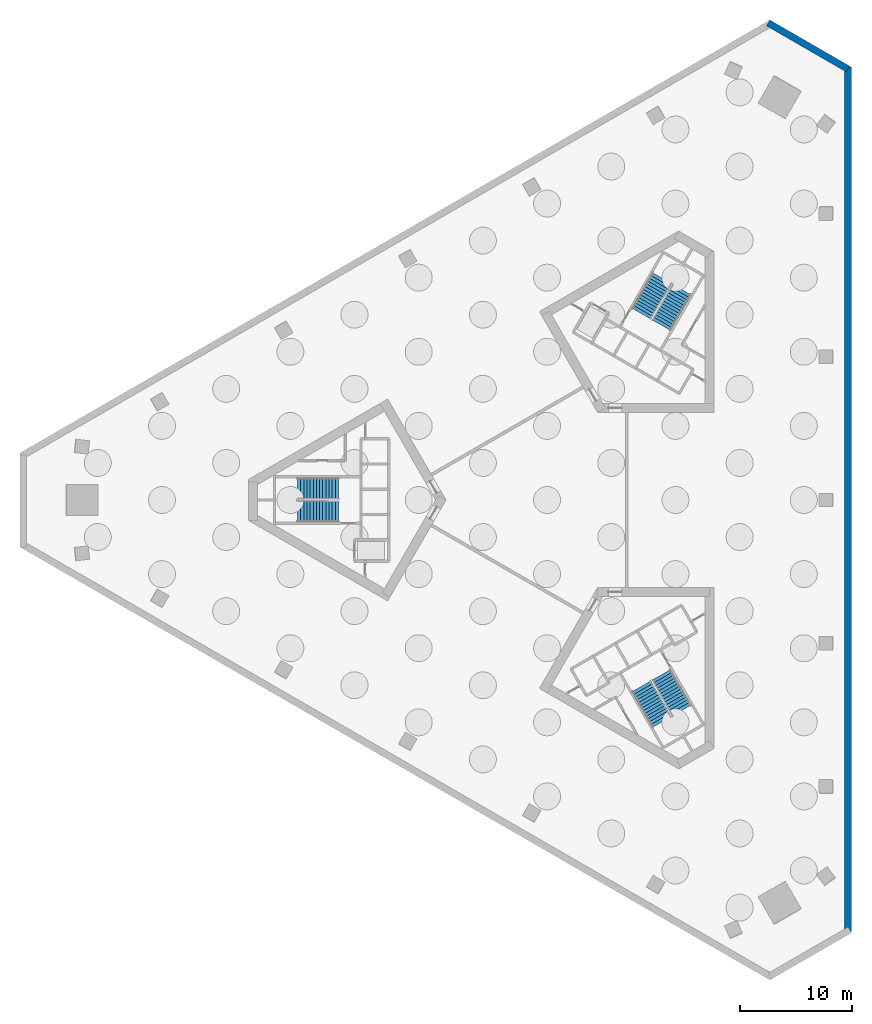
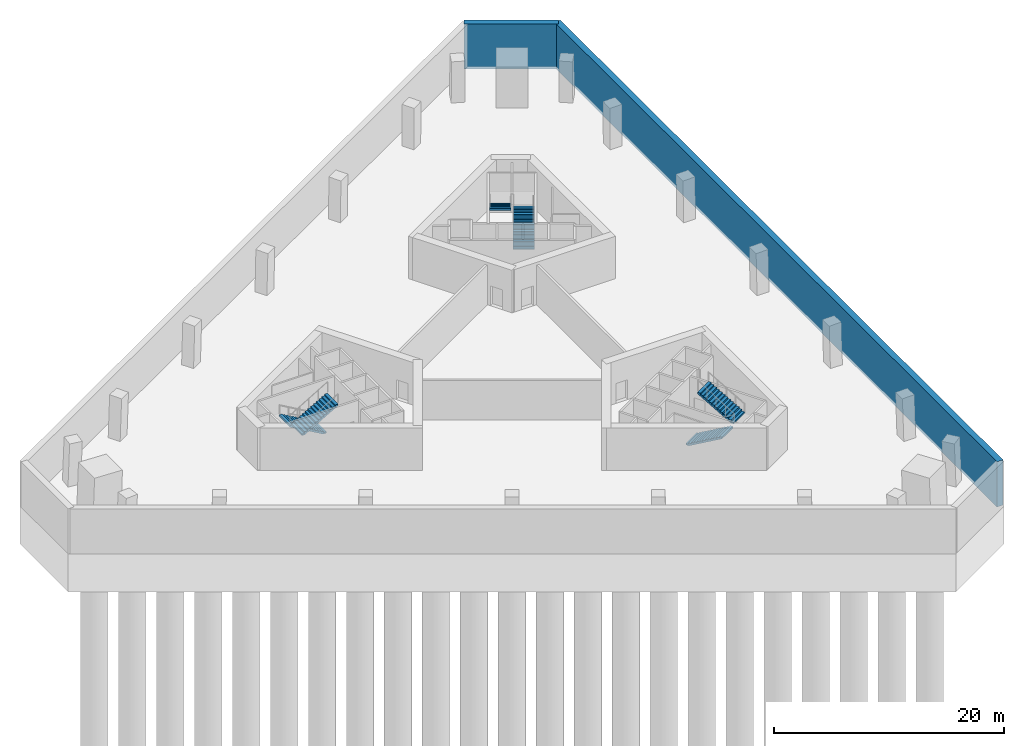
# One storey, part 5 of 7: 6 stair flights, 2 walls, 3 elements without a shape of their own.
"""IFC4 building model written with IfcOpenShell, lengths in metres."""

from ifc_helpers import new_model, si_unit, direction, frame, frame_2d, origin, place, context, subcontext, project, spatial, polyline, rectangle, outline, extrude, material, layer, layer_set, type_object, element, aggregate, save


model = new_model("IFC4")

# Units and contexts
model_context = context("Model", 3, precision=1e-05, world=origin(), true_north=direction((0.0, 1.0)))
body_context = subcontext(model_context, "Body", "Model", "MODEL_VIEW")
ifc_project = project(units=[si_unit("LENGTHUNIT", "METRE"), si_unit("AREAUNIT", "SQUARE_METRE"), si_unit("VOLUMEUNIT", "CUBIC_METRE"), si_unit("PLANEANGLEUNIT", "RADIAN"), si_unit("MASSUNIT", "GRAM", prefix="KILO")], contexts=[model_context])

# Site, building, storey
site_placement = place(None, origin())
site = spatial("IfcSite", under=ifc_project, at=site_placement, CompositionType="ELEMENT")
building_placement = place(site_placement, origin())
building = spatial("IfcBuilding", under=site, at=building_placement, Name="Jabali Bay Hotel Tower and Convention Centre", CompositionType="ELEMENT")
storey_placement = place(building_placement, frame((0.0, 0.0, -9.0)))
storey = spatial("IfcBuildingStorey", under=building, at=storey_placement, Name="B2", CompositionType="ELEMENT", Elevation=-9.0)

# Walls
ifc_material = material(Name="Concrete C40", Category="concrete")
ifc_layer = layer(ifc_material, 0.60009765625)
ifc_layer_set = layer_set([ifc_layer], Name="Concrete C40")
wall_type = type_object("IfcWallType", Name="Retaining wall 600", PredefinedType="SOLIDWALL", material=ifc_layer_set)
wall_1_placement = place(storey_placement, frame((101.800048828125, 41.6181640625, -0.300048828125), z_axis=(0.0, 0.0, 1.0), x_axis=(0.0, 1.0, 0.0)))
element("IfcWall", 1, at=wall_1_placement, inside=storey, type_object=wall_type, Name="Retaining wall B2 1", PredefinedType="SOLIDWALL", context=body_context, shape_type="SweptSolid", body=[
    extrude(rectangle(XDim=76.93701171875, YDim=0.60009765625, at=frame_2d((38.468505859375, 0.0))), origin(), (0.0, 0.0, 1.0), 4.800048828125),
])
wall_2_placement = place(storey_placement, frame((101.800048828125, 118.3818359375, -0.300048828125), z_axis=(0.0, 0.0, 1.0), x_axis=(-0.866022174996, 0.500005592383, 0.0)))
element("IfcWall", 2, at=wall_2_placement, inside=storey, type_object=wall_type, Name="Retaining wall B2 2", PredefinedType="SOLIDWALL", context=body_context, shape_type="SweptSolid", body=[
    extrude(rectangle(XDim=8.21044921875, YDim=0.60009765625, at=frame_2d((4.105224609375, 0.0))), origin(), (0.0, 0.0, 1.0), 4.800048828125),
])

# Stair, stair flights
stair_type = type_object("IfcStairType", Name="Exit stair 1900", PredefinedType="HALF_TURN_STAIR", material=ifc_material)
stair_1_placement = place(storey_placement, origin())
stair_1 = element("IfcStair", 3, at=stair_1_placement, inside=storey, type_object=stair_type, Name="B2 Exit Stair 1", PredefinedType="HALF_TURN_STAIR")
stair_flight_type = type_object("IfcStairFlightType", Name="Stair flight concrete 150", PredefinedType="STRAIGHT", material=ifc_material)
stair_flight_1_placement = place(storey_placement, frame((56.419921875, 81.02490234375, 0.0), z_axis=(0.0, 0.0, 1.0), x_axis=(-1.0, 0.0, 0.0)))
stair_flight_1 = element("IfcStairFlight", 4, at=stair_flight_1_placement, type_object=stair_flight_type, Name="ST1 flight 1", NumberOfRisers=14, NumberOfTreads=13, PredefinedType="STRAIGHT", RiserHeight=0.160714286, TreadLength=0.28, context=body_context, shape_type="SweptSolid", body=[
    extrude(outline(polyline([(0.0, 0.0), (0.0, 0.16064453125), (0.280029296875, 0.16064453125), (0.280029296875, 0.321533203125), (0.56005859375, 0.321533203125), (0.56005859375, 0.482177734375), (0.840087890625, 0.482177734375), (0.840087890625, 0.642822265625), (1.1201171875, 0.642822265625), (1.1201171875, 0.803466796875), (1.39990234375, 0.803466796875), (1.39990234375, 0.96435546875), (1.679931640625, 0.96435546875), (1.679931640625, 1.125), (1.9599609375, 1.125), (1.9599609375, 1.28564453125), (2.239990234375, 1.28564453125), (2.239990234375, 1.446533203125), (2.52001953125, 1.446533203125), (2.52001953125, 1.607177734375), (2.800048828125, 1.607177734375), (2.800048828125, 1.767822265625), (3.080078125, 1.767822265625), (3.080078125, 1.928466796875), (3.360107421875, 1.928466796875), (3.360107421875, 2.08935546875), (3.639892578125, 2.08935546875), (3.639892578125, 2.25), (3.639892578125, 1.91650390625), (0.301025390625, 0.0), (0.0, 0.0)])), frame((0.0, 0.949951171875, 0.0), z_axis=(0.0, -1.0, 0.0), x_axis=(1.0, 0.0, 0.0)), (0.0, 0.0, 1.0), 1.89990234375),
])
stair_flight_2_placement = place(storey_placement, frame((52.780029296875, 78.97509765625, 2.25), z_axis=(0.0, 0.0, 1.0), x_axis=(1.0, 0.0, 0.0)))
stair_flight_2 = element("IfcStairFlight", 5, at=stair_flight_2_placement, type_object=stair_flight_type, Name="ST1 flight 2", NumberOfRisers=14, NumberOfTreads=13, PredefinedType="STRAIGHT", RiserHeight=0.160714286, TreadLength=0.28, context=body_context, shape_type="SweptSolid", body=[
    extrude(outline(polyline([(0.0, 0.0), (0.0, 0.16064453125), (0.280029296875, 0.16064453125), (0.280029296875, 0.321533203125), (0.56005859375, 0.321533203125), (0.56005859375, 0.482177734375), (0.840087890625, 0.482177734375), (0.840087890625, 0.642822265625), (1.1201171875, 0.642822265625), (1.1201171875, 0.803466796875), (1.39990234375, 0.803466796875), (1.39990234375, 0.96435546875), (1.679931640625, 0.96435546875), (1.679931640625, 1.125), (1.9599609375, 1.125), (1.9599609375, 1.28564453125), (2.239990234375, 1.28564453125), (2.239990234375, 1.446533203125), (2.52001953125, 1.446533203125), (2.52001953125, 1.607177734375), (2.800048828125, 1.607177734375), (2.800048828125, 1.767822265625), (3.080078125, 1.767822265625), (3.080078125, 1.928466796875), (3.360107421875, 1.928466796875), (3.360107421875, 2.08935546875), (3.639892578125, 2.08935546875), (3.639892578125, 2.25), (3.639892578125, 1.91650390625), (0.301025390625, 0.0), (0.0, 0.0)])), frame((0.0, 0.949951171875, 0.0), z_axis=(0.0, -1.0, 0.0), x_axis=(1.0, 0.0, 0.0)), (0.0, 0.0, 1.0), 1.89990234375),
])
aggregate(stair_1, [stair_flight_1, stair_flight_2])

stair_2_placement = place(storey_placement, origin())
stair_2 = element("IfcStair", 6, at=stair_2_placement, inside=storey, type_object=stair_type, Name="B2 Exit Stair 2", PredefinedType="HALF_TURN_STAIR")
stair_flight_3_placement = place(storey_placement, frame((85.177734375, 95.578369140625, 0.0), z_axis=(0.0, 0.0, 1.0), x_axis=(0.5, 0.866025403784, 0.0)))
stair_flight_3 = element("IfcStairFlight", 7, at=stair_flight_3_placement, type_object=stair_flight_type, Name="ST2 flight 1", NumberOfRisers=14, NumberOfTreads=13, PredefinedType="STRAIGHT", RiserHeight=0.160714286, TreadLength=0.28, context=body_context, shape_type="SweptSolid", body=[
    extrude(outline(polyline([(0.0, 0.0), (0.0, 0.16064453125), (0.280029296875, 0.16064453125), (0.280029296875, 0.321533203125), (0.56005859375, 0.321533203125), (0.56005859375, 0.482177734375), (0.840087890625, 0.482177734375), (0.840087890625, 0.642822265625), (1.1201171875, 0.642822265625), (1.1201171875, 0.803466796875), (1.39990234375, 0.803466796875), (1.39990234375, 0.96435546875), (1.679931640625, 0.96435546875), (1.679931640625, 1.125), (1.9599609375, 1.125), (1.9599609375, 1.28564453125), (2.239990234375, 1.28564453125), (2.239990234375, 1.446533203125), (2.52001953125, 1.446533203125), (2.52001953125, 1.607177734375), (2.800048828125, 1.607177734375), (2.800048828125, 1.767822265625), (3.080078125, 1.767822265625), (3.080078125, 1.928466796875), (3.360107421875, 1.928466796875), (3.360107421875, 2.08935546875), (3.639892578125, 2.08935546875), (3.639892578125, 2.25), (3.639892578125, 1.91650390625), (0.301025390625, 0.0), (0.0, 0.0)])), frame((0.0, 0.949951171875, 0.0), z_axis=(0.0, -1.0, 0.0), x_axis=(1.0, 0.0, 0.0)), (0.0, 0.0, 1.0), 1.89990234375),
])
stair_flight_4_placement = place(storey_placement, frame((85.222412109375, 99.755615234375, 2.25), z_axis=(0.0, 0.0, 1.0), x_axis=(-0.5, -0.866025403784, 0.0)))
stair_flight_4 = element("IfcStairFlight", 8, at=stair_flight_4_placement, type_object=stair_flight_type, Name="ST2 flight 2", NumberOfRisers=14, NumberOfTreads=13, PredefinedType="STRAIGHT", RiserHeight=0.160714286, TreadLength=0.28, context=body_context, shape_type="SweptSolid", body=[
    extrude(outline(polyline([(0.0, 0.0), (0.0, 0.16064453125), (0.280029296875, 0.16064453125), (0.280029296875, 0.321533203125), (0.56005859375, 0.321533203125), (0.56005859375, 0.482177734375), (0.840087890625, 0.482177734375), (0.840087890625, 0.642822265625), (1.1201171875, 0.642822265625), (1.1201171875, 0.803466796875), (1.39990234375, 0.803466796875), (1.39990234375, 0.96435546875), (1.679931640625, 0.96435546875), (1.679931640625, 1.125), (1.9599609375, 1.125), (1.9599609375, 1.28564453125), (2.239990234375, 1.28564453125), (2.239990234375, 1.446533203125), (2.52001953125, 1.446533203125), (2.52001953125, 1.607177734375), (2.800048828125, 1.607177734375), (2.800048828125, 1.767822265625), (3.080078125, 1.767822265625), (3.080078125, 1.928466796875), (3.360107421875, 1.928466796875), (3.360107421875, 2.08935546875), (3.639892578125, 2.08935546875), (3.639892578125, 2.25), (3.639892578125, 1.91650390625), (0.301025390625, 0.0), (0.0, 0.0)])), frame((0.0, 0.949951171875, 0.0), z_axis=(0.0, -1.0, 0.0), x_axis=(1.0, 0.0, 0.0)), (0.0, 0.0, 1.0), 1.89990234375),
])
aggregate(stair_2, [stair_flight_3, stair_flight_4])

stair_3_placement = place(storey_placement, origin())
stair_3 = element("IfcStair", 9, at=stair_3_placement, inside=storey, type_object=stair_type, Name="B2 Exit Stair 3", PredefinedType="HALF_TURN_STAIR")
stair_flight_5_placement = place(storey_placement, frame((83.40234375, 63.396728515625, 0.0), z_axis=(0.0, 0.0, 1.0), x_axis=(0.5, -0.866025403784, 0.0)))
stair_flight_5 = element("IfcStairFlight", 10, at=stair_flight_5_placement, type_object=stair_flight_type, Name="ST3 flight 1", NumberOfRisers=14, NumberOfTreads=13, PredefinedType="STRAIGHT", RiserHeight=0.160714286, TreadLength=0.28, context=body_context, shape_type="SweptSolid", body=[
    extrude(outline(polyline([(0.0, 0.0), (0.0, 0.16064453125), (0.280029296875, 0.16064453125), (0.280029296875, 0.321533203125), (0.56005859375, 0.321533203125), (0.56005859375, 0.482177734375), (0.840087890625, 0.482177734375), (0.840087890625, 0.642822265625), (1.1201171875, 0.642822265625), (1.1201171875, 0.803466796875), (1.39990234375, 0.803466796875), (1.39990234375, 0.96435546875), (1.679931640625, 0.96435546875), (1.679931640625, 1.125), (1.9599609375, 1.125), (1.9599609375, 1.28564453125), (2.239990234375, 1.28564453125), (2.239990234375, 1.446533203125), (2.52001953125, 1.446533203125), (2.52001953125, 1.607177734375), (2.800048828125, 1.607177734375), (2.800048828125, 1.767822265625), (3.080078125, 1.767822265625), (3.080078125, 1.928466796875), (3.360107421875, 1.928466796875), (3.360107421875, 2.08935546875), (3.639892578125, 2.08935546875), (3.639892578125, 2.25), (3.639892578125, 1.91650390625), (0.301025390625, 0.0), (0.0, 0.0)])), frame((0.0, 0.949951171875, 0.0), z_axis=(0.0, -1.0, 0.0), x_axis=(1.0, 0.0, 0.0)), (0.0, 0.0, 1.0), 1.89990234375),
])
stair_flight_6_placement = place(storey_placement, frame((86.99755859375, 61.26953125, 2.25), z_axis=(0.0, 0.0, 1.0), x_axis=(-0.5, 0.866025403784, 0.0)))
stair_flight_6 = element("IfcStairFlight", 11, at=stair_flight_6_placement, type_object=stair_flight_type, Name="ST3 flight 2", NumberOfRisers=14, NumberOfTreads=13, PredefinedType="STRAIGHT", RiserHeight=0.160714286, TreadLength=0.28, context=body_context, shape_type="SweptSolid", body=[
    extrude(outline(polyline([(0.0, 0.0), (0.0, 0.16064453125), (0.280029296875, 0.16064453125), (0.280029296875, 0.321533203125), (0.56005859375, 0.321533203125), (0.56005859375, 0.482177734375), (0.840087890625, 0.482177734375), (0.840087890625, 0.642822265625), (1.1201171875, 0.642822265625), (1.1201171875, 0.803466796875), (1.39990234375, 0.803466796875), (1.39990234375, 0.96435546875), (1.679931640625, 0.96435546875), (1.679931640625, 1.125), (1.9599609375, 1.125), (1.9599609375, 1.28564453125), (2.239990234375, 1.28564453125), (2.239990234375, 1.446533203125), (2.52001953125, 1.446533203125), (2.52001953125, 1.607177734375), (2.800048828125, 1.607177734375), (2.800048828125, 1.767822265625), (3.080078125, 1.767822265625), (3.080078125, 1.928466796875), (3.360107421875, 1.928466796875), (3.360107421875, 2.08935546875), (3.639892578125, 2.08935546875), (3.639892578125, 2.25), (3.639892578125, 1.91650390625), (0.301025390625, 0.0), (0.0, 0.0)])), frame((0.0, 0.949951171875, 0.0), z_axis=(0.0, -1.0, 0.0), x_axis=(1.0, 0.0, 0.0)), (0.0, 0.0, 1.0), 1.89990234375),
])
aggregate(stair_3, [stair_flight_5, stair_flight_6])

save(model, "model.ifc")
